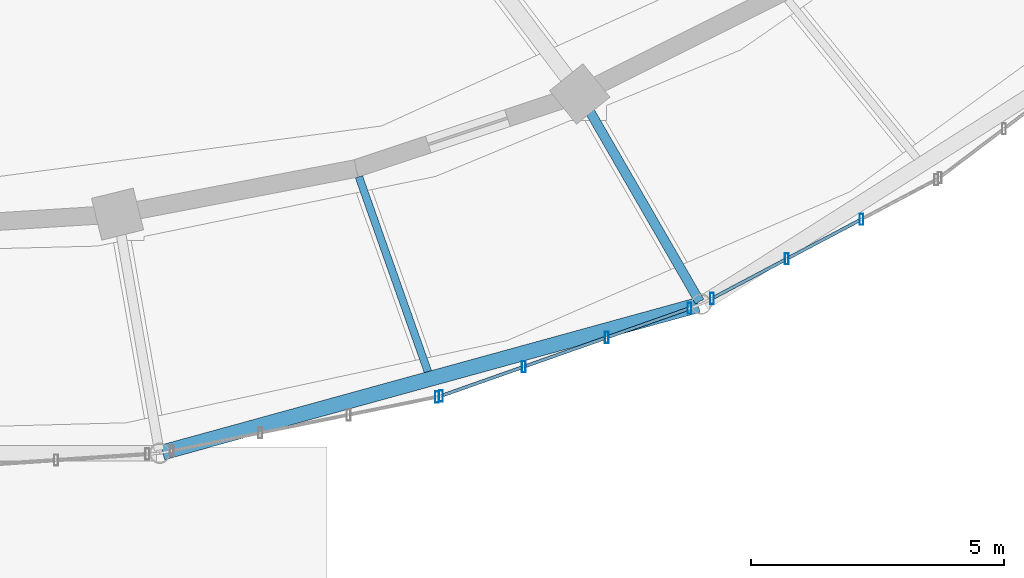
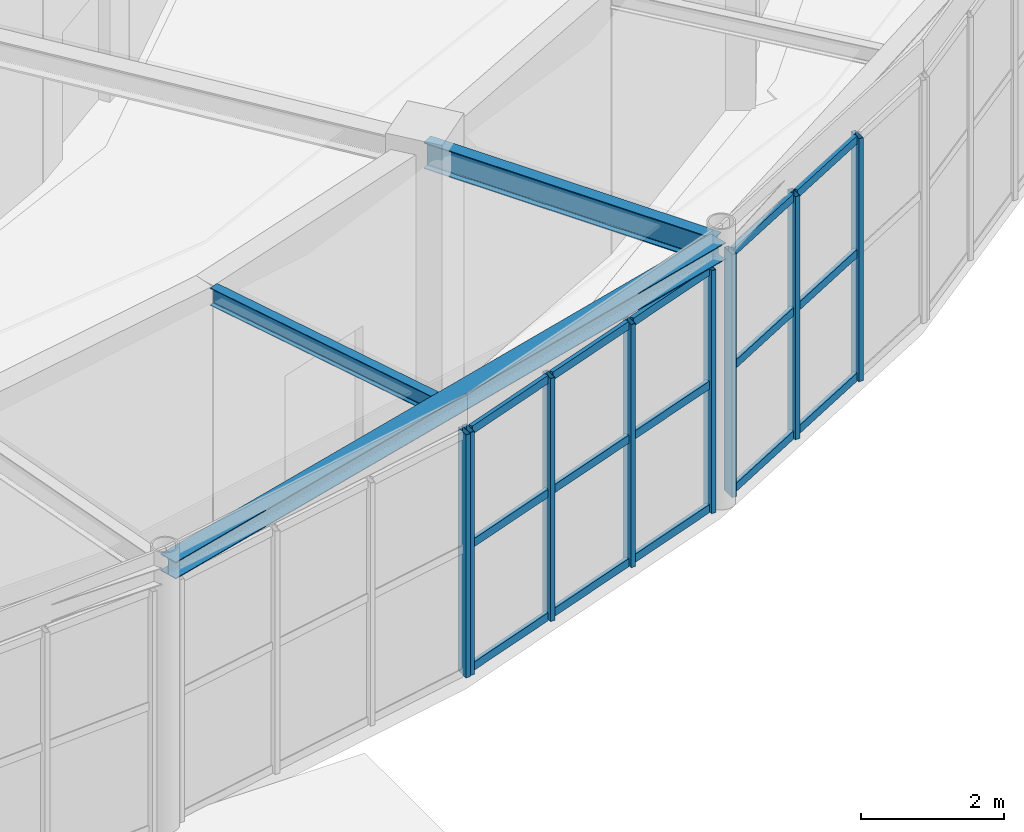
# One storey, part 35 of 100: 23 members, 3 beams, 3 elements without a shape of their own.
"""IFC4 building model written with IfcOpenShell, lengths in metres."""

from ifc_helpers import new_model, si_unit, direction, frame, origin, origin_2d, place, context, subcontext, project, spatial, hollow_rectangle, i_section, extrude, material, material_profile, profile_set, type_object, element, aggregate, save


model = new_model("IFC4")

# Units and contexts
model_context = context("Model", 3, precision=1e-05, world=origin(), true_north=direction((0.0, 1.0)))
body_context = subcontext(model_context, "Body", "Model", "MODEL_VIEW")
ifc_project = project(units=[si_unit("LENGTHUNIT", "METRE"), si_unit("AREAUNIT", "SQUARE_METRE"), si_unit("VOLUMEUNIT", "CUBIC_METRE"), si_unit("PLANEANGLEUNIT", "RADIAN"), si_unit("MASSUNIT", "GRAM", prefix="KILO")], contexts=[model_context])

# Site, building, storey
site_placement = place(None, origin())
site = spatial("IfcSite", under=ifc_project, at=site_placement, CompositionType="ELEMENT")
building_placement = place(site_placement, origin())
building = spatial("IfcBuilding", under=site, at=building_placement, Name="Tarnveldt Headland Concert Hall", CompositionType="ELEMENT")
storey_placement = place(building_placement, frame((0.0, 0.0, 4.800048828125)))
storey = spatial("IfcBuildingStorey", under=building, at=storey_placement, Name="L01", CompositionType="ELEMENT", Elevation=4.800048828125)

# Curtain wall, member
ifc_material_1 = material(Name="Marine-anodised aluminium EN AW-6063-T6", Category="aluminium")
curtain_wall_type = type_object("IfcCurtainWallType", Name="CW-F2", PredefinedType="NOTDEFINED", material=ifc_material_1)
curtain_wall_1_placement = place(storey_placement, origin())
curtain_wall_1 = element("IfcCurtainWall", 1, at=curtain_wall_1_placement, inside=storey, type_object=curtain_wall_type, Name="Curtain wall CW-L01-053", PredefinedType="NOTDEFINED")
ifc_material_profile_1 = material_profile(ifc_material_1, hollow_rectangle(XDim=0.074951171875, YDim=0.219970703125, WallThickness=0.0048828125, at=origin_2d()), Name="ALU MULLION 75x220x5", Category="aluminium")
ifc_profile_set_1 = profile_set([ifc_material_profile_1], Name="Marine-anodised aluminium EN AW-6063-T6")
member_type_1 = type_object("IfcMemberType", Name="ML-200", PredefinedType="MULLION", material=ifc_profile_set_1)
member_1_placement = place(storey_placement, frame((94.67919921875, 31.187744140625, 0.0), z_axis=(0.0, 0.0, 1.0), x_axis=(1.0, 0.0, 0.0)))
member_1 = element("IfcMember", 2, at=member_1_placement, type_object=member_type_1, Name="Mullion CW-L01-053-4", PredefinedType="MULLION", context=body_context, shape_type="SweptSolid", body=[
    extrude(hollow_rectangle(XDim=0.074951171875, YDim=0.219970703125, WallThickness=0.0048828125, at=origin_2d()), origin(), (0.0, 0.0, 1.0), 4.159912109375),
])
aggregate(curtain_wall_1, [member_1])

# Curtain wall, members
curtain_wall_2_placement = place(storey_placement, origin())
curtain_wall_2 = element("IfcCurtainWall", 3, at=curtain_wall_2_placement, inside=storey, type_object=curtain_wall_type, Name="Curtain wall CW-L01-054", PredefinedType="NOTDEFINED")
member_2_placement = place(storey_placement, frame((94.756103515625, 31.208984375, 0.0), z_axis=(0.0, 0.0, 1.0), x_axis=(1.0, 0.0, 0.0)))
member_2 = element("IfcMember", 4, at=member_2_placement, type_object=member_type_1, Name="Mullion CW-L01-054-1", PredefinedType="MULLION", context=body_context, shape_type="SweptSolid", body=[
    extrude(hollow_rectangle(XDim=0.074951171875, YDim=0.219970703125, WallThickness=0.0048828125, at=origin_2d()), origin(), (0.0, 0.0, 1.0), 4.159912109375),
])
member_3_placement = place(storey_placement, frame((96.394287109375, 31.78662109375, 0.0), z_axis=(0.0, 0.0, 1.0), x_axis=(1.0, 0.0, 0.0)))
member_3 = element("IfcMember", 5, at=member_3_placement, type_object=member_type_1, Name="Mullion CW-L01-054-2", PredefinedType="MULLION", context=body_context, shape_type="SweptSolid", body=[
    extrude(hollow_rectangle(XDim=0.074951171875, YDim=0.219970703125, WallThickness=0.0048828125, at=origin_2d()), origin(), (0.0, 0.0, 1.0), 4.159912109375),
])
member_4_placement = place(storey_placement, frame((98.032470703125, 32.364013671875, 0.0), z_axis=(0.0, 0.0, 1.0), x_axis=(1.0, 0.0, 0.0)))
member_4 = element("IfcMember", 6, at=member_4_placement, type_object=member_type_1, Name="Mullion CW-L01-054-3", PredefinedType="MULLION", context=body_context, shape_type="SweptSolid", body=[
    extrude(hollow_rectangle(XDim=0.074951171875, YDim=0.219970703125, WallThickness=0.0048828125, at=origin_2d()), origin(), (0.0, 0.0, 1.0), 4.159912109375),
])
member_5_placement = place(storey_placement, frame((99.670654296875, 32.941650390625, 0.0), z_axis=(0.0, 0.0, 1.0), x_axis=(1.0, 0.0, 0.0)))
member_5 = element("IfcMember", 7, at=member_5_placement, type_object=member_type_1, Name="Mullion CW-L01-054-4", PredefinedType="MULLION", context=body_context, shape_type="SweptSolid", body=[
    extrude(hollow_rectangle(XDim=0.074951171875, YDim=0.219970703125, WallThickness=0.0048828125, at=origin_2d()), origin(), (0.0, 0.0, 1.0), 4.159912109375),
])

curtain_wall_3_placement = place(storey_placement, origin())
curtain_wall_3 = element("IfcCurtainWall", 8, at=curtain_wall_3_placement, inside=storey, type_object=curtain_wall_type, Name="Curtain wall CW-L01-055", PredefinedType="NOTDEFINED")
member_6_placement = place(storey_placement, frame((100.114990234375, 33.136474609375, 0.0), z_axis=(0.0, 0.0, 1.0), x_axis=(1.0, 0.0, 0.0)))
member_6 = element("IfcMember", 9, at=member_6_placement, type_object=member_type_1, Name="Mullion CW-L01-055-1", PredefinedType="MULLION", context=body_context, shape_type="SweptSolid", body=[
    extrude(hollow_rectangle(XDim=0.074951171875, YDim=0.219970703125, WallThickness=0.0048828125, at=origin_2d()), origin(), (0.0, 0.0, 1.0), 4.159912109375),
])
member_7_placement = place(storey_placement, frame((101.592529296875, 33.918701171875, 0.0), z_axis=(0.0, 0.0, 1.0), x_axis=(1.0, 0.0, 0.0)))
member_7 = element("IfcMember", 10, at=member_7_placement, type_object=member_type_1, Name="Mullion CW-L01-055-2", PredefinedType="MULLION", context=body_context, shape_type="SweptSolid", body=[
    extrude(hollow_rectangle(XDim=0.074951171875, YDim=0.219970703125, WallThickness=0.0048828125, at=origin_2d()), origin(), (0.0, 0.0, 1.0), 4.159912109375),
])
member_8_placement = place(storey_placement, frame((103.0703125, 34.701171875, 0.0), z_axis=(0.0, 0.0, 1.0), x_axis=(1.0, 0.0, 0.0)))
member_8 = element("IfcMember", 11, at=member_8_placement, type_object=member_type_1, Name="Mullion CW-L01-055-3", PredefinedType="MULLION", context=body_context, shape_type="SweptSolid", body=[
    extrude(hollow_rectangle(XDim=0.074951171875, YDim=0.219970703125, WallThickness=0.0048828125, at=origin_2d()), origin(), (0.0, 0.0, 1.0), 4.159912109375),
])

# Beams
ifc_material_2 = material(Name="Steel S355", Category="steel")
ifc_material_profile_2 = material_profile(ifc_material_2, i_section(OverallWidth=0.300048828125, OverallDepth=0.2900390625, WebThickness=0.008544921875, FlangeThickness=0.013916015625, FilletRadius=0.027099609375, at=origin_2d()), Name="HEA300", Category="steel")
ifc_profile_set_2 = profile_set([ifc_material_profile_2], Name="Steel S355")
beam_type_1 = type_object("IfcBeamType", Name="SB-HEA300", PredefinedType="SPANDREL", material=ifc_profile_set_2)
beam_1_placement = place(storey_placement, frame((89.25341796875, 30.0927734375, 4.39501953125), z_axis=(0.964161617091, 0.265315616065, 0.0), x_axis=(-0.265315616065, 0.964161617091, 0.0)))
element("IfcBeam", 12, at=beam_1_placement, inside=storey, type_object=beam_type_1, Name="Framing beam L01-720", PredefinedType="SPANDREL", context=body_context, shape_type="SweptSolid", body=[
    extrude(i_section(OverallWidth=0.300048828125, OverallDepth=0.2900390625, WebThickness=0.008544921875, FlangeThickness=0.013916015625, FilletRadius=0.027099609375, at=origin_2d()), origin(), (0.0, 0.0, 1.0), 10.982421875),
])
ifc_material_profile_3 = material_profile(ifc_material_2, i_section(OverallWidth=0.14990234375, OverallDepth=0.300048828125, WebThickness=0.007080078125, FlangeThickness=0.0107421875, FilletRadius=0.014892578125, at=origin_2d()), Name="IPE300", Category="steel")
ifc_profile_set_3 = profile_set([ifc_material_profile_3], Name="Steel S355")
beam_type_2 = type_object("IfcBeamType", Name="SB-IPE300", PredefinedType="JOIST", material=ifc_profile_set_3)
beam_2_placement = place(storey_placement, frame((93.135009765625, 35.541015625, 4.389892578125), z_axis=(0.33369553072, -0.942680907188, 0.0), x_axis=(0.942680907188, 0.33369553072, 0.0)))
element("IfcBeam", 13, at=beam_2_placement, inside=storey, type_object=beam_type_2, Name="Framing beam L01-722", PredefinedType="JOIST", context=body_context, shape_type="SweptSolid", body=[
    extrude(i_section(OverallWidth=0.14990234375, OverallDepth=0.300048828125, WebThickness=0.007080078125, FlangeThickness=0.0107421875, FilletRadius=0.014892578125, at=origin_2d()), origin(), (0.0, 0.0, 1.0), 4.083984375),
])
ifc_material_profile_4 = material_profile(ifc_material_2, i_section(OverallWidth=0.18994140625, OverallDepth=0.449951171875, WebThickness=0.009521484375, FlangeThickness=0.0146484375, FilletRadius=0.02099609375, at=origin_2d()), Name="IPE450", Category="steel")
ifc_profile_set_4 = profile_set([ifc_material_profile_4], Name="Steel S355")
beam_type_3 = type_object("IfcBeamType", Name="SB-IPE450", PredefinedType="BEAM", material=ifc_profile_set_4)
beam_3_placement = place(storey_placement, frame((97.52001953125, 37.14501953125, 4.31494140625), z_axis=(0.500016218704, -0.866016039709, 0.0), x_axis=(0.866016039709, 0.500016218704, 0.0)))
element("IfcBeam", 14, at=beam_3_placement, inside=storey, type_object=beam_type_3, Name="Framing beam L01-724", PredefinedType="BEAM", context=body_context, shape_type="SweptSolid", body=[
    extrude(i_section(OverallWidth=0.18994140625, OverallDepth=0.449951171875, WebThickness=0.009521484375, FlangeThickness=0.0146484375, FilletRadius=0.02099609375, at=origin_2d()), origin(), (0.0, 0.0, 1.0), 4.699951171875),
])

# Member
ifc_material_profile_5 = material_profile(ifc_material_1, hollow_rectangle(XDim=0.06494140625, YDim=0.139892578125, WallThickness=0.00390625, at=origin_2d()), Name="ALU TRANSOM 65x140x4", Category="aluminium")
ifc_profile_set_5 = profile_set([ifc_material_profile_5], Name="Marine-anodised aluminium EN AW-6063-T6")
member_type_2 = type_object("IfcMemberType", Name="TR-140", PredefinedType="MEMBER", material=ifc_profile_set_5)
member_9_placement = place(storey_placement, frame((94.802734375, 31.225341796875, 0.050048828125), z_axis=(0.943086608154, 0.332547213971, 0.0), x_axis=(-0.332547213971, 0.943086608154, 0.0)))
member_9 = element("IfcMember", 15, at=member_9_placement, type_object=member_type_2, Name="Transom CW-L01-054-1-1", PredefinedType="MEMBER", context=body_context, shape_type="SweptSolid", body=[
    extrude(hollow_rectangle(XDim=0.06494140625, YDim=0.139892578125, WallThickness=0.00390625, at=origin_2d()), origin(), (0.0, 0.0, 1.0), 1.637939453125),
])

member_10_placement = place(storey_placement, frame((94.802734375, 31.225341796875, 2.1630859375), z_axis=(0.943086608154, 0.332547213971, 0.0), x_axis=(-0.332547213971, 0.943086608154, 0.0)))
member_10 = element("IfcMember", 16, at=member_10_placement, type_object=member_type_2, Name="Transom CW-L01-054-1-2", PredefinedType="MEMBER", context=body_context, shape_type="SweptSolid", body=[
    extrude(hollow_rectangle(XDim=0.06494140625, YDim=0.139892578125, WallThickness=0.00390625, at=origin_2d()), origin(), (0.0, 0.0, 1.0), 1.637939453125),
])

member_11_placement = place(storey_placement, frame((94.802734375, 31.225341796875, 4.10986328125), z_axis=(0.943086608154, 0.332547213971, 0.0), x_axis=(-0.332547213971, 0.943086608154, 0.0)))
member_11 = element("IfcMember", 17, at=member_11_placement, type_object=member_type_2, Name="Transom CW-L01-054-1-3", PredefinedType="MEMBER", context=body_context, shape_type="SweptSolid", body=[
    extrude(hollow_rectangle(XDim=0.06494140625, YDim=0.139892578125, WallThickness=0.00390625, at=origin_2d()), origin(), (0.0, 0.0, 1.0), 1.637939453125),
])

member_12_placement = place(storey_placement, frame((96.44091796875, 31.802978515625, 0.050048828125), z_axis=(0.943086608154, 0.332547213971, 0.0), x_axis=(-0.332547213971, 0.943086608154, 0.0)))
member_12 = element("IfcMember", 18, at=member_12_placement, type_object=member_type_2, Name="Transom CW-L01-054-2-1", PredefinedType="MEMBER", context=body_context, shape_type="SweptSolid", body=[
    extrude(hollow_rectangle(XDim=0.06494140625, YDim=0.139892578125, WallThickness=0.00390625, at=origin_2d()), origin(), (0.0, 0.0, 1.0), 1.637939453125),
])

member_13_placement = place(storey_placement, frame((96.44091796875, 31.802978515625, 2.1630859375), z_axis=(0.943086608154, 0.332547213971, 0.0), x_axis=(-0.332547213971, 0.943086608154, 0.0)))
member_13 = element("IfcMember", 19, at=member_13_placement, type_object=member_type_2, Name="Transom CW-L01-054-2-2", PredefinedType="MEMBER", context=body_context, shape_type="SweptSolid", body=[
    extrude(hollow_rectangle(XDim=0.06494140625, YDim=0.139892578125, WallThickness=0.00390625, at=origin_2d()), origin(), (0.0, 0.0, 1.0), 1.637939453125),
])

member_14_placement = place(storey_placement, frame((96.44091796875, 31.802978515625, 4.10986328125), z_axis=(0.943086608154, 0.332547213971, 0.0), x_axis=(-0.332547213971, 0.943086608154, 0.0)))
member_14 = element("IfcMember", 20, at=member_14_placement, type_object=member_type_2, Name="Transom CW-L01-054-2-3", PredefinedType="MEMBER", context=body_context, shape_type="SweptSolid", body=[
    extrude(hollow_rectangle(XDim=0.06494140625, YDim=0.139892578125, WallThickness=0.00390625, at=origin_2d()), origin(), (0.0, 0.0, 1.0), 1.637939453125),
])

member_15_placement = place(storey_placement, frame((98.0791015625, 32.380615234375, 0.050048828125), z_axis=(0.943086608154, 0.332547213971, 0.0), x_axis=(-0.332547213971, 0.943086608154, 0.0)))
member_15 = element("IfcMember", 21, at=member_15_placement, type_object=member_type_2, Name="Transom CW-L01-054-3-1", PredefinedType="MEMBER", context=body_context, shape_type="SweptSolid", body=[
    extrude(hollow_rectangle(XDim=0.06494140625, YDim=0.139892578125, WallThickness=0.00390625, at=origin_2d()), origin(), (0.0, 0.0, 1.0), 1.637939453125),
])

member_16_placement = place(storey_placement, frame((98.0791015625, 32.380615234375, 2.1630859375), z_axis=(0.943086608154, 0.332547213971, 0.0), x_axis=(-0.332547213971, 0.943086608154, 0.0)))
member_16 = element("IfcMember", 22, at=member_16_placement, type_object=member_type_2, Name="Transom CW-L01-054-3-2", PredefinedType="MEMBER", context=body_context, shape_type="SweptSolid", body=[
    extrude(hollow_rectangle(XDim=0.06494140625, YDim=0.139892578125, WallThickness=0.00390625, at=origin_2d()), origin(), (0.0, 0.0, 1.0), 1.637939453125),
])

member_17_placement = place(storey_placement, frame((98.0791015625, 32.380615234375, 4.10986328125), z_axis=(0.943086608154, 0.332547213971, 0.0), x_axis=(-0.332547213971, 0.943086608154, 0.0)))
member_17 = element("IfcMember", 23, at=member_17_placement, type_object=member_type_2, Name="Transom CW-L01-054-3-3", PredefinedType="MEMBER", context=body_context, shape_type="SweptSolid", body=[
    extrude(hollow_rectangle(XDim=0.06494140625, YDim=0.139892578125, WallThickness=0.00390625, at=origin_2d()), origin(), (0.0, 0.0, 1.0), 1.637939453125),
])

aggregate(curtain_wall_2, [member_2, member_3, member_4, member_5, member_9, member_10, member_11, member_12, member_13, member_14, member_15, member_16, member_17])

member_18_placement = place(storey_placement, frame((100.15869140625, 33.15966796875, 0.050048828125), z_axis=(0.883818119323, 0.467830665901, 0.0), x_axis=(-0.467830665901, 0.883818119323, 0.0)))
member_18 = element("IfcMember", 24, at=member_18_placement, type_object=member_type_2, Name="Transom CW-L01-055-1-1", PredefinedType="MEMBER", context=body_context, shape_type="SweptSolid", body=[
    extrude(hollow_rectangle(XDim=0.06494140625, YDim=0.139892578125, WallThickness=0.00390625, at=origin_2d()), origin(), (0.0, 0.0, 1.0), 1.572998046875),
])

member_19_placement = place(storey_placement, frame((100.15869140625, 33.15966796875, 2.1630859375), z_axis=(0.883818119323, 0.467830665901, 0.0), x_axis=(-0.467830665901, 0.883818119323, 0.0)))
member_19 = element("IfcMember", 25, at=member_19_placement, type_object=member_type_2, Name="Transom CW-L01-055-1-2", PredefinedType="MEMBER", context=body_context, shape_type="SweptSolid", body=[
    extrude(hollow_rectangle(XDim=0.06494140625, YDim=0.139892578125, WallThickness=0.00390625, at=origin_2d()), origin(), (0.0, 0.0, 1.0), 1.572998046875),
])

member_20_placement = place(storey_placement, frame((100.15869140625, 33.15966796875, 4.10986328125), z_axis=(0.883818119323, 0.467830665901, 0.0), x_axis=(-0.467830665901, 0.883818119323, 0.0)))
member_20 = element("IfcMember", 26, at=member_20_placement, type_object=member_type_2, Name="Transom CW-L01-055-1-3", PredefinedType="MEMBER", context=body_context, shape_type="SweptSolid", body=[
    extrude(hollow_rectangle(XDim=0.06494140625, YDim=0.139892578125, WallThickness=0.00390625, at=origin_2d()), origin(), (0.0, 0.0, 1.0), 1.572998046875),
])

member_21_placement = place(storey_placement, frame((101.63623046875, 33.94189453125, 0.050048828125), z_axis=(0.883787916347, 0.467887720419, 0.0), x_axis=(-0.467887720419, 0.883787916347, 0.0)))
member_21 = element("IfcMember", 27, at=member_21_placement, type_object=member_type_2, Name="Transom CW-L01-055-2-1", PredefinedType="MEMBER", context=body_context, shape_type="SweptSolid", body=[
    extrude(hollow_rectangle(XDim=0.06494140625, YDim=0.139892578125, WallThickness=0.00390625, at=origin_2d()), origin(), (0.0, 0.0, 1.0), 1.5732421875),
])

member_22_placement = place(storey_placement, frame((101.63623046875, 33.94189453125, 2.1630859375), z_axis=(0.883787916347, 0.467887720419, 0.0), x_axis=(-0.467887720419, 0.883787916347, 0.0)))
member_22 = element("IfcMember", 28, at=member_22_placement, type_object=member_type_2, Name="Transom CW-L01-055-2-2", PredefinedType="MEMBER", context=body_context, shape_type="SweptSolid", body=[
    extrude(hollow_rectangle(XDim=0.06494140625, YDim=0.139892578125, WallThickness=0.00390625, at=origin_2d()), origin(), (0.0, 0.0, 1.0), 1.5732421875),
])

member_23_placement = place(storey_placement, frame((101.63623046875, 33.94189453125, 4.10986328125), z_axis=(0.883787916347, 0.467887720419, 0.0), x_axis=(-0.467887720419, 0.883787916347, 0.0)))
member_23 = element("IfcMember", 29, at=member_23_placement, type_object=member_type_2, Name="Transom CW-L01-055-2-3", PredefinedType="MEMBER", context=body_context, shape_type="SweptSolid", body=[
    extrude(hollow_rectangle(XDim=0.06494140625, YDim=0.139892578125, WallThickness=0.00390625, at=origin_2d()), origin(), (0.0, 0.0, 1.0), 1.5732421875),
])

aggregate(curtain_wall_3, [member_6, member_7, member_8, member_18, member_19, member_20, member_21, member_22, member_23])

save(model, "model.ifc")
